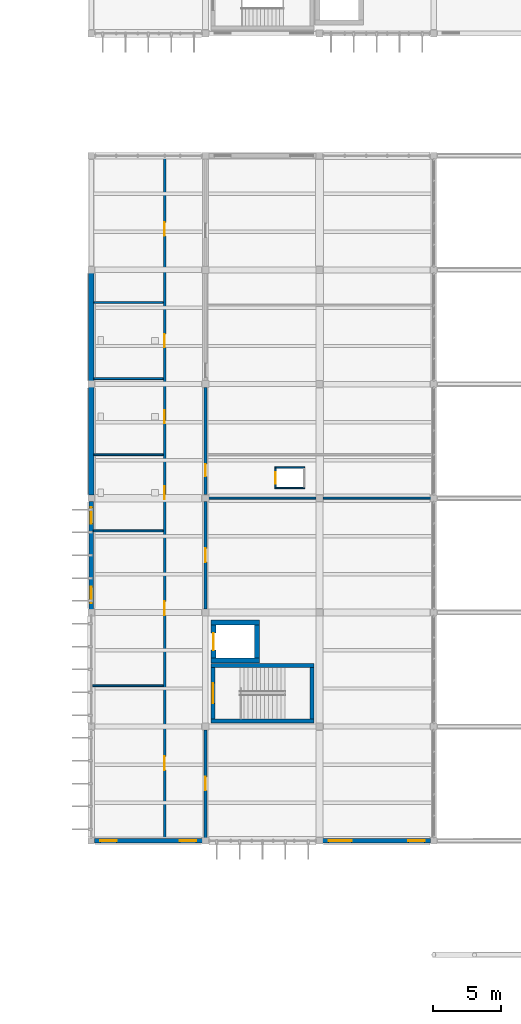
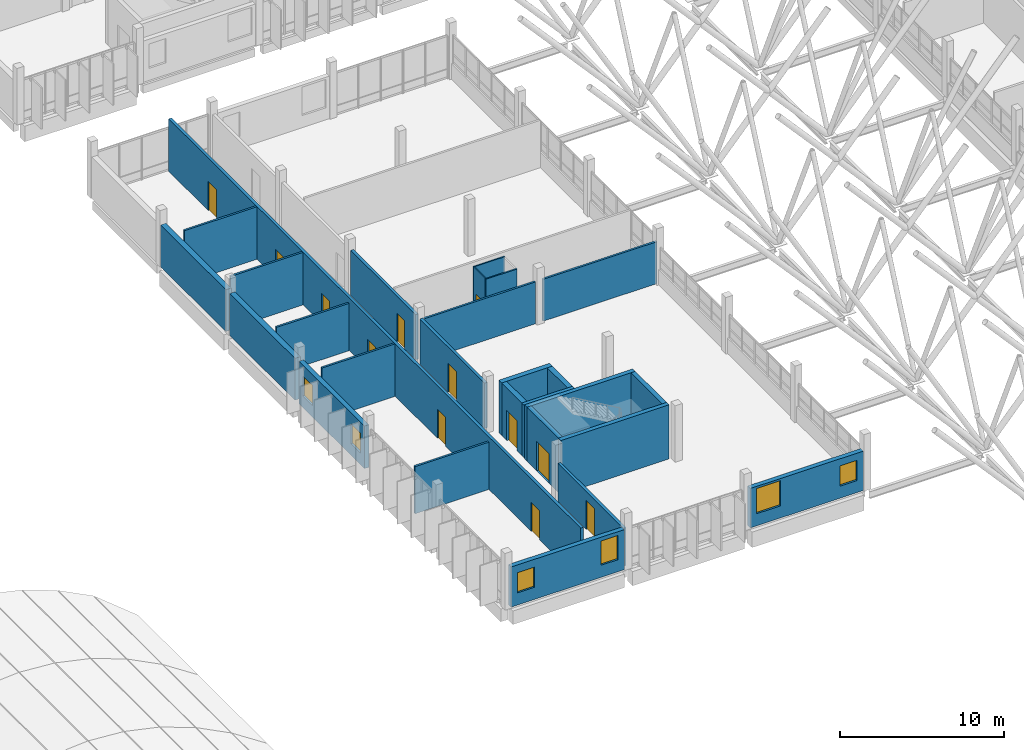
# One storey, part 91 of 107: 27 walls, 12 doors, 6 windows, 18 openings.
"""IFC4 building model written with IfcOpenShell, lengths in metres."""

from ifc_helpers import new_model, si_unit, direction, frame, frame_2d, origin, place, context, subcontext, project, spatial, rectangle, extrude, material, layer, layer_set, type_object, element, fill, save


model = new_model("IFC4")

# Units and contexts
model_context = context("Model", 3, precision=1e-05, world=origin(), true_north=direction((0.0, 1.0)))
body_context = subcontext(model_context, "Body", "Model", "MODEL_VIEW")
ifc_project = project(units=[si_unit("LENGTHUNIT", "METRE"), si_unit("AREAUNIT", "SQUARE_METRE"), si_unit("VOLUMEUNIT", "CUBIC_METRE"), si_unit("PLANEANGLEUNIT", "RADIAN"), si_unit("MASSUNIT", "GRAM", prefix="KILO")], contexts=[model_context])

# Site, building, storey
site_placement = place(None, origin())
site = spatial("IfcSite", under=ifc_project, at=site_placement, CompositionType="ELEMENT")
building_placement = place(site_placement, origin())
building = spatial("IfcBuilding", under=site, at=building_placement, Name="Vireocrest Preparatory School", CompositionType="ELEMENT")
storey_placement = place(building_placement, frame((0.0, 0.0, 13.199951171875)))
storey = spatial("IfcBuildingStorey", under=building, at=storey_placement, Name="L03", CompositionType="ELEMENT", Elevation=13.199951171875)

# Walls
ifc_material_1 = material(Name="Gypsum board on cold-formed steel studs", Category="steel")
ifc_layer_1 = layer(ifc_material_1, 0.139892578125)
ifc_layer_set_1 = layer_set([ifc_layer_1], Name="Gypsum board on cold-formed steel studs")
wall_type_1 = type_object("IfcWallType", Name="Classroom Acoustic Partition Wall 140", PredefinedType="PARTITIONING", material=ifc_layer_set_1)
wall_1_placement = place(storey_placement, frame((42.10498046875, 46.800048828125, 0.0), z_axis=(0.0, 0.0, 1.0), x_axis=(1.0, 0.0, 0.0)))
element("IfcWall", 1, at=wall_1_placement, inside=storey, type_object=wall_type_1, Name="Interior Partition W03 IW_L03_0242", PredefinedType="PARTITIONING", context=body_context, shape_type="SweptSolid", body=[
    extrude(rectangle(XDim=5.18994140625, YDim=0.139892578125, at=frame_2d((2.594970703125, 0.0))), origin(), (0.0, 0.0, 1.0), 3.510009765625),
])
wall_2_placement = place(storey_placement, frame((42.1650390625, 58.199951171875, 0.0), z_axis=(0.0, 0.0, 1.0), x_axis=(1.0, 0.0, 0.0)))
element("IfcWall", 2, at=wall_2_placement, inside=storey, type_object=wall_type_1, Name="Interior Partition W03 IW_L03_0243", PredefinedType="PARTITIONING", context=body_context, shape_type="SweptSolid", body=[
    extrude(rectangle(XDim=5.1298828125, YDim=0.139892578125, at=frame_2d((2.56494140625, 0.0))), origin(), (0.0, 0.0, 1.0), 3.900146484375),
])
wall_3_placement = place(storey_placement, frame((42.195068359375, 63.800048828125, 0.0), z_axis=(0.0, 0.0, 1.0), x_axis=(1.0, 0.0, 0.0)))
element("IfcWall", 3, at=wall_3_placement, inside=storey, type_object=wall_type_1, Name="Interior Partition W03 IW_L03_0244", PredefinedType="PARTITIONING", context=body_context, shape_type="SweptSolid", body=[
    extrude(rectangle(XDim=5.099853515625, YDim=0.139892578125, at=frame_2d((2.5498046875, 0.0))), origin(), (0.0, 0.0, 1.0), 3.510009765625),
])
for number, where, z_axis, x_axis, name in (
    (4, (42.195068359375, 69.39990234375, 0.0), (0.0, 0.0, 1.0), (1.0, 0.0, 0.0), "Interior Partition W03 IW_L03_0245"),
    (5, (42.195068359375, 75.0, 0.0), (0.0, 0.0, 1.0), (1.0, 0.0, 0.0), "Interior Partition W03 IW_L03_0246"),
):
    element("IfcWall", number, at=place(storey_placement, frame(where, z_axis=z_axis, x_axis=x_axis)), inside=storey, type_object=wall_type_1, Name=name, PredefinedType="PARTITIONING", context=body_context, shape_type="SweptSolid", body=[
        extrude(rectangle(XDim=5.099853515625, YDim=0.139892578125, at=frame_2d((2.5498046875, 0.0))), origin(), (0.0, 0.0, 1.0), 3.900146484375),
    ])
wall_4_placement = place(storey_placement, frame((50.5048828125, 60.60009765625, 0.0), z_axis=(0.0, 0.0, 1.0), x_axis=(1.0, 0.0, 0.0)))
element("IfcWall", 6, at=wall_4_placement, inside=storey, type_object=wall_type_1, Name="Interior Partition W03 IW_L03_0249", PredefinedType="PARTITIONING", context=body_context, shape_type="SweptSolid", body=[
    extrude(rectangle(XDim=8.03515625, YDim=0.139892578125, at=frame_2d((4.017578125, 0.0))), origin(), (0.0, 0.0, 1.0), 3.110107421875),
])
wall_5_placement = place(storey_placement, frame((59.06005859375, 60.60009765625, 0.0), z_axis=(0.0, 0.0, 1.0), x_axis=(1.0, 0.0, 0.0)))
element("IfcWall", 7, at=wall_5_placement, inside=storey, type_object=wall_type_1, Name="Interior Partition W03 IW_L03_0250", PredefinedType="PARTITIONING", context=body_context, shape_type="SweptSolid", body=[
    extrude(rectangle(XDim=8.014892578125, YDim=0.139892578125, at=frame_2d((4.00732421875, 0.0))), origin(), (0.0, 0.0, 1.0), 3.110107421875),
])

# Wall, openings, doors
ifc_layer_2 = layer(ifc_material_1, 0.199951171875)
ifc_layer_set_2 = layer_set([ifc_layer_2], Name="Gypsum board on cold-formed steel studs")
wall_type_2 = type_object("IfcWallType", Name="Corridor One-Hour Fire Partition 200", PredefinedType="PARTITIONING", material=ifc_layer_set_2)
wall_6_placement = place(storey_placement, frame((47.39990234375, 35.56494140625, 0.0), z_axis=(0.0, 0.0, 1.0), x_axis=(0.0, 1.0, 0.0)))
wall_6 = element("IfcWall", 8, at=wall_6_placement, inside=storey, type_object=wall_type_2, Name="Interior Partition W06 IW_L03_0247", PredefinedType="PARTITIONING", context=body_context, shape_type="SweptSolid", body=[
    extrude(rectangle(XDim=50.130126953125, YDim=0.199951171875, at=frame_2d((25.06494140625, 0.0))), origin(), (0.0, 0.0, 1.0), 3.900146484375),
])
opening_1_placement = place(wall_6_placement, frame((5.034912109375, 0.0, 0.0)))
opening_1 = element("IfcOpeningElement", 9, at=opening_1_placement, cuts=wall_6, Name="Opening D-L03-W3W01", PredefinedType="OPENING", context=body_context, shape_type="SweptSolid", body=[
    extrude(rectangle(XDim=1.0, YDim=2.14990234375, at=frame_2d((0.5, 1.074951171875))), frame((0.0, 0.10986328125, 0.0), z_axis=(0.0, -1.0, 0.0), x_axis=(1.0, 0.0, 0.0)), (0.0, 0.0, 1.0), 0.219970703125),
])
opening_2_placement = place(wall_6_placement, frame((16.43505859375, 0.0, 0.0)))
opening_2 = element("IfcOpeningElement", 10, at=opening_2_placement, cuts=wall_6, Name="Opening D-L03-W3W02", PredefinedType="OPENING", context=body_context, shape_type="SweptSolid", body=[
    extrude(rectangle(XDim=1.0, YDim=2.14990234375, at=frame_2d((0.5, 1.074951171875))), frame((0.0, 0.10986328125, 0.0), z_axis=(0.0, -1.0, 0.0), x_axis=(1.0, 0.0, 0.0)), (0.0, 0.0, 1.0), 0.219970703125),
])
opening_3_placement = place(wall_6_placement, frame((24.9599609375, 0.0, 0.0)))
opening_3 = element("IfcOpeningElement", 11, at=opening_3_placement, cuts=wall_6, Name="Opening D-L03-W3W03", PredefinedType="OPENING", context=body_context, shape_type="SweptSolid", body=[
    extrude(rectangle(XDim=0.949951171875, YDim=2.199951171875, at=frame_2d((0.47509765625, 1.10009765625))), frame((0.0, 0.10986328125, 0.0), z_axis=(0.0, -1.0, 0.0), x_axis=(1.0, 0.0, 0.0)), (0.0, 0.0, 1.0), 0.219970703125),
])
opening_4_placement = place(wall_6_placement, frame((30.56005859375, 0.0, 0.0)))
opening_4 = element("IfcOpeningElement", 12, at=opening_4_placement, cuts=wall_6, Name="Opening D-L03-W3W04", PredefinedType="OPENING", context=body_context, shape_type="SweptSolid", body=[
    extrude(rectangle(XDim=0.949951171875, YDim=2.199951171875, at=frame_2d((0.47509765625, 1.10009765625))), frame((0.0, 0.10986328125, 0.0), z_axis=(0.0, -1.0, 0.0), x_axis=(1.0, 0.0, 0.0)), (0.0, 0.0, 1.0), 0.219970703125),
])
opening_5_placement = place(wall_6_placement, frame((36.159912109375, 0.0, 0.0)))
opening_5 = element("IfcOpeningElement", 13, at=opening_5_placement, cuts=wall_6, Name="Opening D-L03-W3W05", PredefinedType="OPENING", context=body_context, shape_type="SweptSolid", body=[
    extrude(rectangle(XDim=0.949951171875, YDim=2.10009765625, at=frame_2d((0.47509765625, 1.050048828125))), frame((0.0, 0.10986328125, 0.0), z_axis=(0.0, -1.0, 0.0), x_axis=(1.0, 0.0, 0.0)), (0.0, 0.0, 1.0), 0.219970703125),
])
opening_6_placement = place(wall_6_placement, frame((44.3349609375, 0.0, 0.0)))
opening_6 = element("IfcOpeningElement", 14, at=opening_6_placement, cuts=wall_6, Name="Opening D-L03-W3W06", PredefinedType="OPENING", context=body_context, shape_type="SweptSolid", body=[
    extrude(rectangle(XDim=1.0, YDim=2.14990234375, at=frame_2d((0.5, 1.074951171875))), frame((0.0, 0.10986328125, 0.0), z_axis=(0.0, -1.0, 0.0), x_axis=(1.0, 0.0, 0.0)), (0.0, 0.0, 1.0), 0.219970703125),
])
ifc_material_2 = material(Name="Solid-core architectural birch timber", Category="wood")
door_type_1 = type_object("IfcDoorType", Name="Accessible WC Timber Door 950x2100", OperationType="NOTDEFINED", PredefinedType="DOOR", material=ifc_material_2)
door_1_placement = place(opening_5_placement, origin())
door_1 = element("IfcDoor", 15, at=door_1_placement, inside=storey, type_object=door_type_1, Name="Interior Door D-L03-W3W05", OperationType="SINGLE_SWING_RIGHT", OverallHeight=2.10009765625, OverallWidth=0.949951171875, PredefinedType="DOOR", context=body_context, shape_type="SweptSolid", body=[
    extrude(rectangle(XDim=0.949951171875, YDim=2.10009765625, at=frame_2d((0.47509765625, 1.050048828125))), frame((0.0, 0.02490234375, 0.0), z_axis=(0.0, -1.0, 0.0), x_axis=(1.0, 0.0, 0.0)), (0.0, 0.0, 1.0), 0.050048828125),
])
fill(opening_5, door_1)
door_type_2 = type_object("IfcDoorType", Name="Classroom Acoustic Timber Door 1000x2150", OperationType="NOTDEFINED", PredefinedType="DOOR", material=ifc_material_2)
door_2_placement = place(opening_1_placement, origin())
door_2 = element("IfcDoor", 16, at=door_2_placement, inside=storey, type_object=door_type_2, Name="Interior Door D-L03-W3W01", OperationType="SINGLE_SWING_RIGHT", OverallHeight=2.14990234375, OverallWidth=1.0, PredefinedType="DOOR", context=body_context, shape_type="SweptSolid", body=[
    extrude(rectangle(XDim=1.0, YDim=2.14990234375, at=frame_2d((0.5, 1.074951171875))), frame((0.0, 0.02490234375, 0.0), z_axis=(0.0, -1.0, 0.0), x_axis=(1.0, 0.0, 0.0)), (0.0, 0.0, 1.0), 0.050048828125),
])
fill(opening_1, door_2)
door_3_placement = place(opening_2_placement, origin())
door_3 = element("IfcDoor", 17, at=door_3_placement, inside=storey, type_object=door_type_2, Name="Interior Door D-L03-W3W02", OperationType="SINGLE_SWING_LEFT", OverallHeight=2.14990234375, OverallWidth=1.0, PredefinedType="DOOR", context=body_context, shape_type="SweptSolid", body=[
    extrude(rectangle(XDim=1.0, YDim=2.14990234375, at=frame_2d((0.5, 1.074951171875))), frame((0.0, 0.02490234375, 0.0), z_axis=(0.0, -1.0, 0.0), x_axis=(1.0, 0.0, 0.0)), (0.0, 0.0, 1.0), 0.050048828125),
])
fill(opening_2, door_3)
door_4_placement = place(opening_6_placement, origin())
door_4 = element("IfcDoor", 18, at=door_4_placement, inside=storey, type_object=door_type_2, Name="Interior Door D-L03-W3W06", OperationType="SINGLE_SWING_LEFT", OverallHeight=2.14990234375, OverallWidth=1.0, PredefinedType="DOOR", context=body_context, shape_type="SweptSolid", body=[
    extrude(rectangle(XDim=1.0, YDim=2.14990234375, at=frame_2d((0.5, 1.074951171875))), frame((0.0, 0.02490234375, 0.0), z_axis=(0.0, -1.0, 0.0), x_axis=(1.0, 0.0, 0.0)), (0.0, 0.0, 1.0), 0.050048828125),
])
fill(opening_6, door_4)
door_type_3 = type_object("IfcDoorType", Name="Student Washroom Door 950x2200", OperationType="NOTDEFINED", PredefinedType="DOOR", material=ifc_material_2)
door_5_placement = place(opening_3_placement, origin())
door_5 = element("IfcDoor", 19, at=door_5_placement, inside=storey, type_object=door_type_3, Name="Interior Door D-L03-W3W03", OperationType="SINGLE_SWING_RIGHT", OverallHeight=2.199951171875, OverallWidth=0.949951171875, PredefinedType="DOOR", context=body_context, shape_type="SweptSolid", body=[
    extrude(rectangle(XDim=0.949951171875, YDim=2.199951171875, at=frame_2d((0.47509765625, 1.10009765625))), frame((0.0, 0.02490234375, 0.0), z_axis=(0.0, -1.0, 0.0), x_axis=(1.0, 0.0, 0.0)), (0.0, 0.0, 1.0), 0.050048828125),
])
fill(opening_3, door_5)
door_6_placement = place(opening_4_placement, origin())
door_6 = element("IfcDoor", 20, at=door_6_placement, inside=storey, type_object=door_type_3, Name="Interior Door D-L03-W3W04", OperationType="SINGLE_SWING_LEFT", OverallHeight=2.199951171875, OverallWidth=0.949951171875, PredefinedType="DOOR", context=body_context, shape_type="SweptSolid", body=[
    extrude(rectangle(XDim=0.949951171875, YDim=2.199951171875, at=frame_2d((0.47509765625, 1.10009765625))), frame((0.0, 0.02490234375, 0.0), z_axis=(0.0, -1.0, 0.0), x_axis=(1.0, 0.0, 0.0)), (0.0, 0.0, 1.0), 0.050048828125),
])
fill(opening_4, door_6)

# Wall, opening, door
wall_7_placement = place(storey_placement, frame((50.39990234375, 35.56494140625, 0.0), z_axis=(0.0, 0.0, 1.0), x_axis=(0.0, 1.0, 0.0)))
wall_7 = element("IfcWall", 21, at=wall_7_placement, inside=storey, type_object=wall_type_2, Name="Interior Partition W06 IW_L03_0248", PredefinedType="PARTITIONING", context=body_context, shape_type="SweptSolid", body=[
    extrude(rectangle(XDim=7.97509765625, YDim=0.199951171875, at=frame_2d((3.987548828125, 0.0))), origin(), (0.0, 0.0, 1.0), 2.830078125),
])
opening_7_placement = place(wall_7_placement, frame((3.534912109375, 0.0, 0.0)))
opening_7 = element("IfcOpeningElement", 22, at=opening_7_placement, cuts=wall_7, Name="Opening D-L03-W3E01", PredefinedType="OPENING", context=body_context, shape_type="SweptSolid", body=[
    extrude(rectangle(XDim=1.0, YDim=2.14990234375, at=frame_2d((0.5, 1.074951171875))), frame((0.0, 0.10986328125, 0.0), z_axis=(0.0, -1.0, 0.0), x_axis=(1.0, 0.0, 0.0)), (0.0, 0.0, 1.0), 0.219970703125),
])
door_7_placement = place(opening_7_placement, origin())
door_7 = element("IfcDoor", 23, at=door_7_placement, inside=storey, type_object=door_type_2, Name="Interior Door D-L03-W3E01", OperationType="SINGLE_SWING_RIGHT", OverallHeight=2.14990234375, OverallWidth=1.0, PredefinedType="DOOR", context=body_context, shape_type="SweptSolid", body=[
    extrude(rectangle(XDim=1.0, YDim=2.14990234375, at=frame_2d((0.5, 1.074951171875))), frame((0.0, 0.02490234375, 0.0), z_axis=(0.0, -1.0, 0.0), x_axis=(1.0, 0.0, 0.0)), (0.0, 0.0, 1.0), 0.050048828125),
])
fill(opening_7, door_7)

wall_8_placement = place(storey_placement, frame((50.39990234375, 52.4599609375, 0.0), z_axis=(0.0, 0.0, 1.0), x_axis=(0.0, 1.0, 0.0)))
wall_8 = element("IfcWall", 24, at=wall_8_placement, inside=storey, type_object=wall_type_2, Name="Interior Partition W06 IW_L03_0253", PredefinedType="PARTITIONING", context=body_context, shape_type="SweptSolid", body=[
    extrude(rectangle(XDim=7.880126953125, YDim=0.199951171875, at=frame_2d((3.93994140625, 0.0))), origin(), (0.0, 0.0, 1.0), 3.360107421875),
])
opening_8_placement = place(wall_8_placement, frame((3.43994140625, 0.0, 0.0)))
opening_8 = element("IfcOpeningElement", 25, at=opening_8_placement, cuts=wall_8, Name="Opening D-L03-W3EN01", PredefinedType="OPENING", context=body_context, shape_type="SweptSolid", body=[
    extrude(rectangle(XDim=1.0, YDim=2.14990234375, at=frame_2d((0.5, 1.074951171875))), frame((0.0, 0.10986328125, 0.0), z_axis=(0.0, -1.0, 0.0), x_axis=(1.0, 0.0, 0.0)), (0.0, 0.0, 1.0), 0.219970703125),
])
door_8_placement = place(opening_8_placement, origin())
door_8 = element("IfcDoor", 26, at=door_8_placement, inside=storey, type_object=door_type_2, Name="Interior Door D-L03-W3EN01", OperationType="SINGLE_SWING_LEFT", OverallHeight=2.14990234375, OverallWidth=1.0, PredefinedType="DOOR", context=body_context, shape_type="SweptSolid", body=[
    extrude(rectangle(XDim=1.0, YDim=2.14990234375, at=frame_2d((0.5, 1.074951171875))), frame((0.0, 0.02490234375, 0.0), z_axis=(0.0, -1.0, 0.0), x_axis=(1.0, 0.0, 0.0)), (0.0, 0.0, 1.0), 0.050048828125),
])
fill(opening_8, door_8)

wall_9_placement = place(storey_placement, frame((50.39990234375, 60.860107421875, 0.0), z_axis=(0.0, 0.0, 1.0), x_axis=(0.0, 1.0, 0.0)))
wall_9 = element("IfcWall", 27, at=wall_9_placement, inside=storey, type_object=wall_type_2, Name="Interior Partition W06 IW_L03_0254", PredefinedType="PARTITIONING", context=body_context, shape_type="SweptSolid", body=[
    extrude(rectangle(XDim=7.8798828125, YDim=0.199951171875, at=frame_2d((3.93994140625, 0.0))), origin(), (0.0, 0.0, 1.0), 3.360107421875),
])
opening_9_placement = place(wall_9_placement, frame((1.340087890625, 0.0, 0.0)))
opening_9 = element("IfcOpeningElement", 28, at=opening_9_placement, cuts=wall_9, Name="Opening D-L03-W3EN02", PredefinedType="OPENING", context=body_context, shape_type="SweptSolid", body=[
    extrude(rectangle(XDim=0.89990234375, YDim=2.10009765625, at=frame_2d((0.449951171875, 1.050048828125))), frame((0.0, 0.10986328125, 0.0), z_axis=(0.0, -1.0, 0.0), x_axis=(1.0, 0.0, 0.0)), (0.0, 0.0, 1.0), 0.219970703125),
])
door_type_4 = type_object("IfcDoorType", Name="Office Timber Door 900x2100", OperationType="NOTDEFINED", PredefinedType="DOOR", material=ifc_material_2)
door_9_placement = place(opening_9_placement, origin())
door_9 = element("IfcDoor", 29, at=door_9_placement, inside=storey, type_object=door_type_4, Name="Interior Door D-L03-W3EN02", OperationType="SINGLE_SWING_RIGHT", OverallHeight=2.10009765625, OverallWidth=0.89990234375, PredefinedType="DOOR", context=body_context, shape_type="SweptSolid", body=[
    extrude(rectangle(XDim=0.89990234375, YDim=2.10009765625, at=frame_2d((0.449951171875, 1.050048828125))), frame((0.0, 0.02490234375, 0.0), z_axis=(0.0, -1.0, 0.0), x_axis=(1.0, 0.0, 0.0)), (0.0, 0.0, 1.0), 0.050048828125),
])
fill(opening_9, door_9)

# Wall, openings, windows
ifc_material_3 = material(Name="Precast white concrete 40 MPa", Category="concrete")
ifc_layer_3 = layer(ifc_material_3, 0.320068359375)
ifc_layer_set_3 = layer_set([ifc_layer_3], Name="Precast white concrete 40 MPa")
wall_type_3 = type_object("IfcWallType", Name="High-Tech Insulated Rainscreen External Wall 320", PredefinedType="SOLIDWALL", material=ifc_layer_set_3)
wall_10_placement = place(storey_placement, frame((42.0, 52.425048828125, 0.0), z_axis=(0.0, 0.0, 1.0), x_axis=(0.0, 1.0, 0.0)))
wall_10 = element("IfcWall", 30, at=wall_10_placement, inside=storey, type_object=wall_type_3, Name="External Wall W12 EW_L03_0303", PredefinedType="SOLIDWALL", context=body_context, shape_type="SweptSolid", body=[
    extrude(rectangle(XDim=7.949951171875, YDim=0.320068359375, at=frame_2d((3.97509765625, 0.0))), origin(), (0.0, 0.0, 1.0), 3.16015625),
])
opening_10_placement = place(wall_10_placement, frame((0.449951171875, 0.0, 0.85009765625)))
opening_10 = element("IfcOpeningElement", 31, at=opening_10_placement, cuts=wall_10, Name="Opening WN01", PredefinedType="OPENING", context=body_context, shape_type="SweptSolid", body=[
    extrude(rectangle(XDim=1.199951171875, YDim=1.5, at=frame_2d((0.60009765625, 0.75))), frame((0.0, 0.169921875, 0.0), z_axis=(0.0, -1.0, 0.0), x_axis=(1.0, 0.0, 0.0)), (0.0, 0.0, 1.0), 0.340087890625),
])
opening_11_placement = place(wall_10_placement, frame((6.300048828125, 0.0, 0.85009765625)))
opening_11 = element("IfcOpeningElement", 32, at=opening_11_placement, cuts=wall_10, Name="Opening WN01", PredefinedType="OPENING", context=body_context, shape_type="SweptSolid", body=[
    extrude(rectangle(XDim=1.199951171875, YDim=1.5, at=frame_2d((0.60009765625, 0.75))), frame((0.0, 0.169921875, 0.0), z_axis=(0.0, -1.0, 0.0), x_axis=(1.0, 0.0, 0.0)), (0.0, 0.0, 1.0), 0.340087890625),
])
ifc_material_4 = material(Name="Thermally broken aluminium EN AW-6063-T6", Category="aluminium")
window_type_1 = type_object("IfcWindowType", Name="Office Punched Window 1200x1500", PartitioningType="SINGLE_PANEL", PredefinedType="WINDOW", material=ifc_material_4)
window_1_placement = place(opening_10_placement, origin())
window_1 = element("IfcWindow", 33, at=window_1_placement, inside=storey, type_object=window_type_1, Name="Window W-L03-148 (WN01)", OverallHeight=1.5, OverallWidth=1.199951171875, PartitioningType="SINGLE_PANEL", PredefinedType="WINDOW", context=body_context, shape_type="SweptSolid", body=[
    extrude(rectangle(XDim=1.199951171875, YDim=1.5, at=frame_2d((0.60009765625, 0.75))), frame((0.0, 0.030029296875, 0.0), z_axis=(0.0, -1.0, 0.0), x_axis=(1.0, 0.0, 0.0)), (0.0, 0.0, 1.0), 0.06005859375),
])
fill(opening_10, window_1)
window_2_placement = place(opening_11_placement, origin())
window_2 = element("IfcWindow", 34, at=window_2_placement, inside=storey, type_object=window_type_1, Name="Window W-L03-149 (WN01)", OverallHeight=1.5, OverallWidth=1.199951171875, PartitioningType="SINGLE_PANEL", PredefinedType="WINDOW", context=body_context, shape_type="SweptSolid", body=[
    extrude(rectangle(XDim=1.199951171875, YDim=1.5, at=frame_2d((0.60009765625, 0.75))), frame((0.0, 0.030029296875, 0.0), z_axis=(0.0, -1.0, 0.0), x_axis=(1.0, 0.0, 0.0)), (0.0, 0.0, 1.0), 0.06005859375),
])
fill(opening_11, window_2)

wall_11_placement = place(storey_placement, frame((42.22509765625, 35.39990234375, 0.0), z_axis=(0.0, 0.0, 1.0), x_axis=(1.0, 0.0, 0.0)))
wall_11 = element("IfcWall", 35, at=wall_11_placement, inside=storey, type_object=wall_type_3, Name="External Wall W12 EW_L03_0307", PredefinedType="SOLIDWALL", context=body_context, shape_type="SweptSolid", body=[
    extrude(rectangle(XDim=7.949951171875, YDim=0.320068359375, at=frame_2d((3.97509765625, 0.0))), origin(), (0.0, 0.0, 1.0), 2.97998046875),
])
opening_12_placement = place(wall_11_placement, frame((0.449951171875, 0.0, 0.89990234375)))
opening_12 = element("IfcOpeningElement", 36, at=opening_12_placement, cuts=wall_11, Name="Opening WN01", PredefinedType="OPENING", context=body_context, shape_type="SweptSolid", body=[
    extrude(rectangle(XDim=1.199951171875, YDim=1.5, at=frame_2d((0.60009765625, 0.75))), frame((0.0, 0.169921875, 0.0), z_axis=(0.0, -1.0, 0.0), x_axis=(1.0, 0.0, 0.0)), (0.0, 0.0, 1.0), 0.340087890625),
])
opening_13_placement = place(wall_11_placement, frame((6.300048828125, 0.0, 0.89990234375)))
opening_13 = element("IfcOpeningElement", 37, at=opening_13_placement, cuts=wall_11, Name="Opening WN02", PredefinedType="OPENING", context=body_context, shape_type="SweptSolid", body=[
    extrude(rectangle(XDim=1.199951171875, YDim=1.800048828125, at=frame_2d((0.60009765625, 0.89990234375))), frame((0.0, 0.169921875, 0.0), z_axis=(0.0, -1.0, 0.0), x_axis=(1.0, 0.0, 0.0)), (0.0, 0.0, 1.0), 0.340087890625),
])
window_type_2 = type_object("IfcWindowType", Name="Counseling Window 1200x1800", PartitioningType="SINGLE_PANEL", PredefinedType="WINDOW", material=ifc_material_4)
window_3_placement = place(opening_13_placement, origin())
window_3 = element("IfcWindow", 38, at=window_3_placement, inside=storey, type_object=window_type_2, Name="Window W-L03-151 (WN02)", OverallHeight=1.800048828125, OverallWidth=1.199951171875, PartitioningType="SINGLE_PANEL", PredefinedType="WINDOW", context=body_context, shape_type="SweptSolid", body=[
    extrude(rectangle(XDim=1.199951171875, YDim=1.800048828125, at=frame_2d((0.60009765625, 0.89990234375))), frame((0.0, 0.030029296875, 0.0), z_axis=(0.0, -1.0, 0.0), x_axis=(1.0, 0.0, 0.0)), (0.0, 0.0, 1.0), 0.06005859375),
])
fill(opening_13, window_3)
window_4_placement = place(opening_12_placement, origin())
window_4 = element("IfcWindow", 39, at=window_4_placement, inside=storey, type_object=window_type_1, Name="Window W-L03-150 (WN01)", OverallHeight=1.5, OverallWidth=1.199951171875, PartitioningType="SINGLE_PANEL", PredefinedType="WINDOW", context=body_context, shape_type="SweptSolid", body=[
    extrude(rectangle(XDim=1.199951171875, YDim=1.5, at=frame_2d((0.60009765625, 0.75))), frame((0.0, 0.030029296875, 0.0), z_axis=(0.0, -1.0, 0.0), x_axis=(1.0, 0.0, 0.0)), (0.0, 0.0, 1.0), 0.06005859375),
])
fill(opening_12, window_4)

wall_12_placement = place(storey_placement, frame((59.02490234375, 35.39990234375, 0.0), z_axis=(0.0, 0.0, 1.0), x_axis=(1.0, 0.0, 0.0)))
wall_12 = element("IfcWall", 40, at=wall_12_placement, inside=storey, type_object=wall_type_3, Name="External Wall W12 EW_L03_0309", PredefinedType="SOLIDWALL", context=body_context, shape_type="SweptSolid", body=[
    extrude(rectangle(XDim=7.9501953125, YDim=0.320068359375, at=frame_2d((3.97509765625, 0.0))), origin(), (0.0, 0.0, 1.0), 2.929931640625),
])
opening_14_placement = place(wall_12_placement, frame((0.449951171875, 0.0, 0.89990234375)))
opening_14 = element("IfcOpeningElement", 41, at=opening_14_placement, cuts=wall_12, Name="Opening WN07", PredefinedType="OPENING", context=body_context, shape_type="SweptSolid", body=[
    extrude(rectangle(XDim=1.679931640625, YDim=1.8798828125, at=frame_2d((0.83984375, 0.93994140625))), frame((0.0, 0.169921875, 0.0), z_axis=(0.0, -1.0, 0.0), x_axis=(1.0, 0.0, 0.0)), (0.0, 0.0, 1.0), 0.340087890625),
])
opening_15_placement = place(wall_12_placement, frame((6.300048828125, 0.0, 0.89990234375)))
opening_15 = element("IfcOpeningElement", 42, at=opening_15_placement, cuts=wall_12, Name="Opening WN01", PredefinedType="OPENING", context=body_context, shape_type="SweptSolid", body=[
    extrude(rectangle(XDim=1.199951171875, YDim=1.5, at=frame_2d((0.60009765625, 0.75))), frame((0.0, 0.169921875, 0.0), z_axis=(0.0, -1.0, 0.0), x_axis=(1.0, 0.0, 0.0)), (0.0, 0.0, 1.0), 0.340087890625),
])
window_type_3 = type_object("IfcWindowType", Name="Module Lab Window 1680x2400", PartitioningType="SINGLE_PANEL", PredefinedType="WINDOW", material=ifc_material_4)
window_5_placement = place(opening_14_placement, origin())
window_5 = element("IfcWindow", 43, at=window_5_placement, inside=storey, type_object=window_type_3, Name="Window W-L03-152 (WN07)", OverallHeight=1.8798828125, OverallWidth=1.679931640625, PartitioningType="SINGLE_PANEL", PredefinedType="WINDOW", context=body_context, shape_type="SweptSolid", body=[
    extrude(rectangle(XDim=1.679931640625, YDim=1.8798828125, at=frame_2d((0.83984375, 0.93994140625))), frame((0.0, 0.030029296875, 0.0), z_axis=(0.0, -1.0, 0.0), x_axis=(1.0, 0.0, 0.0)), (0.0, 0.0, 1.0), 0.06005859375),
])
fill(opening_14, window_5)
window_6_placement = place(opening_15_placement, origin())
window_6 = element("IfcWindow", 44, at=window_6_placement, inside=storey, type_object=window_type_1, Name="Window W-L03-153 (WN01)", OverallHeight=1.5, OverallWidth=1.199951171875, PartitioningType="SINGLE_PANEL", PredefinedType="WINDOW", context=body_context, shape_type="SweptSolid", body=[
    extrude(rectangle(XDim=1.199951171875, YDim=1.5, at=frame_2d((0.60009765625, 0.75))), frame((0.0, 0.030029296875, 0.0), z_axis=(0.0, -1.0, 0.0), x_axis=(1.0, 0.0, 0.0)), (0.0, 0.0, 1.0), 0.06005859375),
])
fill(opening_15, window_6)

# Walls
ifc_layer_4 = layer(ifc_material_1, 0.10009765625)
ifc_layer_set_4 = layer_set([ifc_layer_4], Name="Gypsum board on cold-formed steel studs")
wall_type_4 = type_object("IfcWallType", Name="Riser Shaft Lining Wall 100", PredefinedType="PARTITIONING", material=ifc_layer_set_4)
for number, where, z_axis, x_axis, name in (
    (45, (55.5, 61.35009765625, 0.0), (0.0, 0.0, 1.0), (1.0, 0.0, 0.0), "MEP Riser Shaft Wall W01 WEST_MEP-L03-S"),
    (46, (55.5, 62.85009765625, 0.0), (0.0, 0.0, 1.0), (1.0, 0.0, 0.0), "MEP Riser Shaft Wall W01 WEST_MEP-L03-N"),
):
    element("IfcWall", number, at=place(storey_placement, frame(where, z_axis=z_axis, x_axis=x_axis)), inside=storey, type_object=wall_type_4, Name=name, PredefinedType="PARTITIONING", context=body_context, shape_type="SweptSolid", body=[
        extrude(rectangle(XDim=2.199951171875, YDim=0.10009765625, at=frame_2d((1.10009765625, 0.0))), origin(), (0.0, 0.0, 1.0), 3.900146484375),
    ])

# Wall, opening, door
wall_13_placement = place(storey_placement, frame((55.550048828125, 61.39990234375, 0.0), z_axis=(0.0, 0.0, 1.0), x_axis=(0.0, 1.0, 0.0)))
wall_13 = element("IfcWall", 47, at=wall_13_placement, inside=storey, type_object=wall_type_4, Name="MEP Riser Shaft Wall W01 WEST_MEP-L03-W", PredefinedType="PARTITIONING", context=body_context, shape_type="SweptSolid", body=[
    extrude(rectangle(XDim=1.400146484375, YDim=0.10009765625, at=frame_2d((0.7001953125, 0.0))), origin(), (0.0, 0.0, 1.0), 3.900146484375),
])
opening_16_placement = place(wall_13_placement, frame((0.27490234375, 0.0, 0.0)))
opening_16 = element("IfcOpeningElement", 48, at=opening_16_placement, cuts=wall_13, Name="Opening D-L03-RSW", PredefinedType="OPENING", context=body_context, shape_type="SweptSolid", body=[
    extrude(rectangle(XDim=0.85009765625, YDim=2.050048828125, at=frame_2d((0.425048828125, 1.02490234375))), frame((0.0, 0.06005859375, 0.0), z_axis=(0.0, -1.0, 0.0), x_axis=(1.0, 0.0, 0.0)), (0.0, 0.0, 1.0), 0.1201171875),
])
ifc_material_5 = material(Name="Painted galvanized hollow steel", Category="steel")
door_type_5 = type_object("IfcDoorType", Name="Riser Access Steel Door 850x2050", OperationType="NOTDEFINED", PredefinedType="DOOR", material=ifc_material_5)
door_10_placement = place(opening_16_placement, origin())
door_10 = element("IfcDoor", 49, at=door_10_placement, inside=storey, type_object=door_type_5, Name="Riser Shaft Access Door D-L03-RSW", OperationType="SINGLE_SWING_RIGHT", OverallHeight=2.050048828125, OverallWidth=0.85009765625, PredefinedType="DOOR", context=body_context, shape_type="SweptSolid", body=[
    extrude(rectangle(XDim=0.85009765625, YDim=2.050048828125, at=frame_2d((0.425048828125, 1.02490234375))), frame((0.0, 0.02490234375, 0.0), z_axis=(0.0, -1.0, 0.0), x_axis=(1.0, 0.0, 0.0)), (0.0, 0.0, 1.0), 0.050048828125),
])
fill(opening_16, door_10)

# Walls
ifc_material_6 = material(Name="Concrete 45 MPa", Category="concrete")
ifc_layer_5 = layer(ifc_material_6, 0.35009765625)
ifc_layer_set_5 = layer_set([ifc_layer_5], Name="Concrete 45 MPa")
wall_type_5 = type_object("IfcWallType", Name="Two-Hour RC Lift Core Shear Wall 350", PredefinedType="SHEAR", material=ifc_layer_set_5)
for number, where, z_axis, x_axis, name in (
    (50, (50.824951171875, 48.64990234375, 0.0), (0.0, 0.0, 1.0), (1.0, 0.0, 0.0), "Lift Core Shear Wall LF1 L03-S"),
    (51, (50.824951171875, 51.449951171875, 0.0), (0.0, 0.0, 1.0), (1.0, 0.0, 0.0), "Lift Core Shear Wall LF1 L03-N"),
):
    element("IfcWall", number, at=place(storey_placement, frame(where, z_axis=z_axis, x_axis=x_axis)), inside=storey, type_object=wall_type_5, Name=name, PredefinedType="SHEAR", context=body_context, shape_type="SweptSolid", body=[
        extrude(rectangle(XDim=3.550048828125, YDim=0.35009765625, at=frame_2d((1.77490234375, 0.0))), origin(), (0.0, 0.0, 1.0), 3.920166015625),
    ])

# Wall, opening, door
wall_14_placement = place(storey_placement, frame((51.0, 48.824951171875, 0.0), z_axis=(0.0, 0.0, 1.0), x_axis=(0.0, 1.0, 0.0)))
wall_14 = element("IfcWall", 52, at=wall_14_placement, inside=storey, type_object=wall_type_5, Name="Lift Core Shear Wall LF1 L03-W", PredefinedType="SHEAR", context=body_context, shape_type="SweptSolid", body=[
    extrude(rectangle(XDim=2.449951171875, YDim=0.35009765625, at=frame_2d((1.22509765625, 0.0))), origin(), (0.0, 0.0, 1.0), 3.920166015625),
])
opening_17_placement = place(wall_14_placement, frame((0.60009765625, 0.0, 0.0)))
opening_17 = element("IfcOpeningElement", 53, at=opening_17_placement, cuts=wall_14, Name="Opening LD-LF1-L03", PredefinedType="OPENING", context=body_context, shape_type="SweptSolid", body=[
    extrude(rectangle(XDim=1.25, YDim=2.25, at=frame_2d((0.625, 1.125))), frame((0.0, 0.18505859375, 0.0), z_axis=(0.0, -1.0, 0.0), x_axis=(1.0, 0.0, 0.0)), (0.0, 0.0, 1.0), 0.3701171875),
])
door_type_6 = type_object("IfcDoorType", Name="Stretcher Lift Landing Sliding Door 1250x2250", OperationType="DOUBLE_DOOR_SLIDING", PredefinedType="DOOR", material=ifc_material_5)
door_11_placement = place(opening_17_placement, origin())
door_11 = element("IfcDoor", 54, at=door_11_placement, inside=storey, type_object=door_type_6, Name="Lift Landing Door LD-LF1-L03", OperationType="DOUBLE_DOOR_SLIDING", OverallHeight=2.25, OverallWidth=1.25, PredefinedType="DOOR", context=body_context, shape_type="SweptSolid", body=[
    extrude(rectangle(XDim=1.25, YDim=2.25, at=frame_2d((0.625, 1.125))), frame((0.0, 0.02490234375, 0.0), z_axis=(0.0, -1.0, 0.0), x_axis=(1.0, 0.0, 0.0)), (0.0, 0.0, 1.0), 0.050048828125),
])
fill(opening_17, door_11)

# Walls
wall_15_placement = place(storey_placement, frame((54.199951171875, 48.824951171875, 0.0), z_axis=(0.0, 0.0, 1.0), x_axis=(0.0, 1.0, 0.0)))
element("IfcWall", 55, at=wall_15_placement, inside=storey, type_object=wall_type_5, Name="Lift Core Shear Wall LF1 L03-E", PredefinedType="SHEAR", context=body_context, shape_type="SweptSolid", body=[
    extrude(rectangle(XDim=2.449951171875, YDim=0.35009765625, at=frame_2d((1.22509765625, 0.0))), origin(), (0.0, 0.0, 1.0), 3.920166015625),
])
ifc_layer_6 = layer(ifc_material_6, 0.3798828125)
ifc_layer_set_6 = layer_set([ifc_layer_6], Name="Concrete 45 MPa")
wall_type_6 = type_object("IfcWallType", Name="Two-Hour RC Lot-Line Shear Wall 380", PredefinedType="SHEAR", material=ifc_layer_set_6)
for number, where, z_axis, x_axis, name in (
    (56, (42.0, 60.824951171875, 0.0), (0.0, 0.0, 1.0), (0.0, 1.0, 0.0), "External Wall PW1 PARTY_L03_0304"),
    (57, (42.0, 69.22509765625, 0.0), (0.0, 0.0, 1.0), (0.0, 1.0, 0.0), "External Wall PW1 PARTY_L03_0305"),
):
    element("IfcWall", number, at=place(storey_placement, frame(where, z_axis=z_axis, x_axis=x_axis)), inside=storey, type_object=wall_type_6, Name=name, PredefinedType="SHEAR", context=body_context, shape_type="SweptSolid", body=[
        extrude(rectangle(XDim=7.949951171875, YDim=0.3798828125, at=frame_2d((3.97509765625, 0.0))), origin(), (0.0, 0.0, 1.0), 3.110107421875),
    ])
ifc_layer_7 = layer(ifc_material_6, 0.300048828125)
ifc_layer_set_7 = layer_set([ifc_layer_7], Name="Concrete 45 MPa")
wall_type_7 = type_object("IfcWallType", Name="Two-Hour RC Stair Shaft Shear Wall 300", PredefinedType="SHEAR", material=ifc_layer_set_7)
for number, where, z_axis, x_axis, name in (
    (58, (50.800048828125, 44.199951171875, 0.0), (0.0, 0.0, 1.0), (1.0, 0.0, 0.0), "Stair Core Shear Wall ST1 L03-S"),
    (59, (50.800048828125, 48.300048828125, 0.0), (0.0, 0.0, 1.0), (1.0, 0.0, 0.0), "Stair Core Shear Wall ST1 L03-N"),
):
    element("IfcWall", number, at=place(storey_placement, frame(where, z_axis=z_axis, x_axis=x_axis)), inside=storey, type_object=wall_type_7, Name=name, PredefinedType="SHEAR", context=body_context, shape_type="SweptSolid", body=[
        extrude(rectangle(XDim=7.599853515625, YDim=0.300048828125, at=frame_2d((3.7998046875, 0.0))), origin(), (0.0, 0.0, 1.0), 4.025146484375),
    ])

# Wall, opening, door
wall_16_placement = place(storey_placement, frame((50.949951171875, 44.35009765625, 0.0), z_axis=(0.0, 0.0, 1.0), x_axis=(0.0, 1.0, 0.0)))
wall_16 = element("IfcWall", 60, at=wall_16_placement, inside=storey, type_object=wall_type_7, Name="Stair Core Shear Wall ST1 L03-W", PredefinedType="SHEAR", context=body_context, shape_type="SweptSolid", body=[
    extrude(rectangle(XDim=3.7998046875, YDim=0.300048828125, at=frame_2d((1.89990234375, 0.0))), origin(), (0.0, 0.0, 1.0), 4.025146484375),
])
opening_18_placement = place(wall_16_placement, frame((1.14990234375, 0.0, 0.0)))
opening_18 = element("IfcOpeningElement", 61, at=opening_18_placement, cuts=wall_16, Name="Opening SD-ST1-L03", PredefinedType="OPENING", context=body_context, shape_type="SweptSolid", body=[
    extrude(rectangle(XDim=1.5, YDim=2.199951171875, at=frame_2d((0.75, 1.10009765625))), frame((0.0, 0.159912109375, 0.0), z_axis=(0.0, -1.0, 0.0), x_axis=(1.0, 0.0, 0.0)), (0.0, 0.0, 1.0), 0.320068359375),
])
door_type_7 = type_object("IfcDoorType", Name="Stair Enclosure Fire Door 1500x2200", OperationType="DOUBLE_DOOR_SINGLE_SWING", PredefinedType="DOOR", material=ifc_material_5)
door_12_placement = place(opening_18_placement, origin())
door_12 = element("IfcDoor", 62, at=door_12_placement, inside=storey, type_object=door_type_7, Name="Stair Enclosure Fire Door SD-ST1-L03", OperationType="DOUBLE_DOOR_SINGLE_SWING", OverallHeight=2.199951171875, OverallWidth=1.5, PredefinedType="DOOR", context=body_context, shape_type="SweptSolid", body=[
    extrude(rectangle(XDim=1.5, YDim=2.199951171875, at=frame_2d((0.75, 1.10009765625))), frame((0.0, 0.02490234375, 0.0), z_axis=(0.0, -1.0, 0.0), x_axis=(1.0, 0.0, 0.0)), (0.0, 0.0, 1.0), 0.050048828125),
])
fill(opening_18, door_12)

# Wall
wall_17_placement = place(storey_placement, frame((58.25, 44.35009765625, 0.0), z_axis=(0.0, 0.0, 1.0), x_axis=(0.0, 1.0, 0.0)))
element("IfcWall", 63, at=wall_17_placement, inside=storey, type_object=wall_type_7, Name="Stair Core Shear Wall ST1 L03-E", PredefinedType="SHEAR", context=body_context, shape_type="SweptSolid", body=[
    extrude(rectangle(XDim=3.7998046875, YDim=0.300048828125, at=frame_2d((1.89990234375, 0.0))), origin(), (0.0, 0.0, 1.0), 4.025146484375),
])

save(model, "model.ifc")
